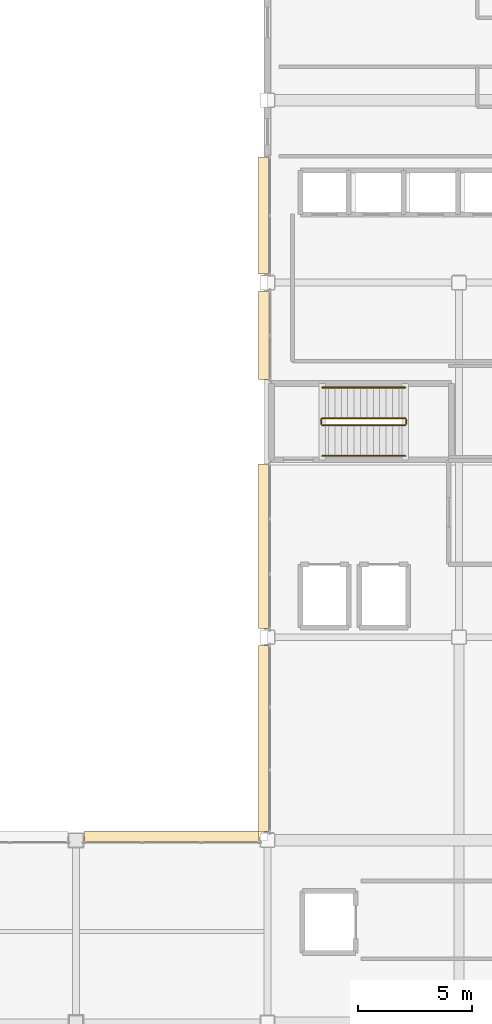
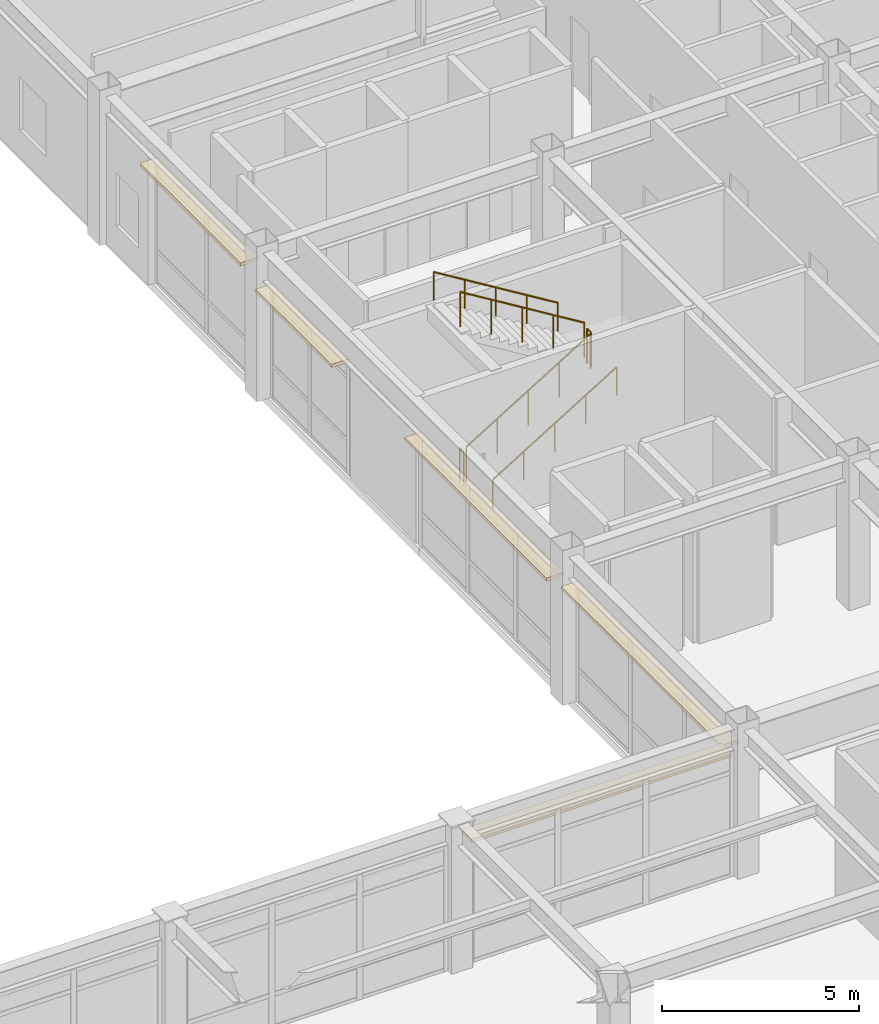
# One storey, part 91 of 93: 6 railings, 5 coverings.
"""IFC4 building model written with IfcOpenShell, lengths in metres."""

from ifc_helpers import new_model, si_unit, direction, frame, origin, origin_2d, place, context, subcontext, project, spatial, rectangle, circle, extrude, material, layer, layer_set, type_object, element, save


model = new_model("IFC4")

# Units and contexts
model_context = context("Model", 3, precision=1e-05, world=origin(), true_north=direction((0.0, 1.0)))
body_context = subcontext(model_context, "Body", "Model", "MODEL_VIEW")
ifc_project = project(units=[si_unit("LENGTHUNIT", "METRE"), si_unit("AREAUNIT", "SQUARE_METRE"), si_unit("VOLUMEUNIT", "CUBIC_METRE"), si_unit("PLANEANGLEUNIT", "RADIAN"), si_unit("MASSUNIT", "GRAM", prefix="KILO")], contexts=[model_context])

# Site, building, storey
site_placement = place(None, origin())
site = spatial("IfcSite", under=ifc_project, at=site_placement, CompositionType="ELEMENT")
building_placement = place(site_placement, origin())
building = spatial("IfcBuilding", under=site, at=building_placement, Name="Kazehara Bluff Congress Hotel", CompositionType="ELEMENT")
storey_placement = place(building_placement, frame((0.0, 0.0, 15.0)))
storey = spatial("IfcBuildingStorey", under=building, at=storey_placement, Name="L03", CompositionType="ELEMENT", Elevation=15.0)

# Coverings
ifc_material_1 = material(Name="Anodised aluminium architectural brise-soleil", Category="aluminium")
ifc_layer = layer(ifc_material_1, 0.10009765625)
ifc_layer_set = layer_set([ifc_layer], Name="Anodised aluminium architectural brise-soleil")
covering_type = type_object("IfcCoveringType", Name="TP-FAC-FIN", PredefinedType="CLADDING", material=ifc_layer_set)
covering_1_placement = place(storey_placement, frame((143.56005859375, 36.449951171875, 3.6650390625), z_axis=(0.0, 0.0, 1.0), x_axis=(1.0, 0.0, 0.0)))
element("IfcCovering", 1, at=covering_1_placement, inside=storey, type_object=covering_type, Name="L03 V5 architectural sun-hood 161", PredefinedType="CLADDING", context=body_context, shape_type="SweptSolid", body=[
    extrude(rectangle(XDim=0.52001953125, YDim=8.14990234375, at=origin_2d()), origin(), (0.0, 0.0, 1.0), 0.10009765625),
])
covering_2_placement = place(storey_placement, frame((143.56005859375, 44.8798828125, 3.46484375), z_axis=(0.0, 0.0, 1.0), x_axis=(1.0, 0.0, 0.0)))
element("IfcCovering", 2, at=covering_2_placement, inside=storey, type_object=covering_type, Name="L03 V5 architectural sun-hood 162", PredefinedType="CLADDING", context=body_context, shape_type="SweptSolid", body=[
    extrude(rectangle(XDim=0.52001953125, YDim=7.215087890625, at=origin_2d()), origin(), (0.0, 0.0, 1.0), 0.10009765625),
])
covering_3_placement = place(storey_placement, frame((143.56005859375, 54.139892578125, 3.46484375), z_axis=(0.0, 0.0, 1.0), x_axis=(1.0, 0.0, 0.0)))
element("IfcCovering", 3, at=covering_3_placement, inside=storey, type_object=covering_type, Name="L03 V5 architectural sun-hood 163", PredefinedType="CLADDING", context=body_context, shape_type="SweptSolid", body=[
    extrude(rectangle(XDim=0.52001953125, YDim=3.864990234375, at=origin_2d()), origin(), (0.0, 0.0, 1.0), 0.10009765625),
])
covering_4_placement = place(storey_placement, frame((143.56005859375, 59.389892578125, 3.81494140625), z_axis=(0.0, 0.0, 1.0), x_axis=(1.0, 0.0, 0.0)))
element("IfcCovering", 4, at=covering_4_placement, inside=storey, type_object=covering_type, Name="L03 V5 architectural sun-hood 164", PredefinedType="CLADDING", context=body_context, shape_type="SweptSolid", body=[
    extrude(rectangle(XDim=0.52001953125, YDim=5.125, at=origin_2d()), origin(), (0.0, 0.0, 1.0), 0.10009765625),
])
covering_5_placement = place(storey_placement, frame((139.5, 32.139892578125, 3.71484375), z_axis=(0.0, 0.0, 1.0), x_axis=(1.0, 0.0, 0.0)))
element("IfcCovering", 5, at=covering_5_placement, inside=storey, type_object=covering_type, Name="L03 V5 architectural sun-hood 168", PredefinedType="CLADDING", context=body_context, shape_type="SweptSolid", body=[
    extrude(rectangle(XDim=7.64990234375, YDim=0.52001953125, at=origin_2d()), origin(), (0.0, 0.0, 1.0), 0.10009765625),
])

# Railings
ifc_material_2 = material(Name="Brushed stainless steel", Category="steel")
railing_type_1 = type_object("IfcRailingType", Name="TP-GRD-INT", PredefinedType="GUARDRAIL", material=ifc_material_2)
railing_1_placement = place(storey_placement, frame((146.10009765625, 50.199951171875, 0.17138671875)))
element("IfcRailing", 6, at=railing_1_placement, inside=storey, type_object=railing_type_1, Name="L03 ST-11 stair guard 1", PredefinedType="GUARDRAIL", context=body_context, shape_type="SweptSolid", body=[
    extrude(circle(Radius=0.02392578125, at=origin_2d()), frame((0.0, 0.0, 1.076171875), z_axis=(0.852850264322, 0.0, 0.5221555579), x_axis=(0.0, 1.0, 0.0)), (0.0, 0.0, 1.0), 4.267822265625),
    extrude(circle(Radius=0.02099609375, at=origin_2d()), origin(), (0.0, 0.0, 1.0), 1.052001953125),
    extrude(circle(Radius=0.02099609375, at=origin_2d()), frame((0.909912109375, 0.0, 0.55712890625)), (0.0, 0.0, 1.0), 1.052001953125),
    extrude(circle(Radius=0.02099609375, at=origin_2d()), frame((1.81982421875, 0.0, 1.1142578125)), (0.0, 0.0, 1.0), 1.052001953125),
    extrude(circle(Radius=0.02099609375, at=origin_2d()), frame((2.72998046875, 0.0, 1.67138671875)), (0.0, 0.0, 1.0), 1.052001953125),
    extrude(circle(Radius=0.02099609375, at=origin_2d()), frame((3.639892578125, 0.0, 2.228515625)), (0.0, 0.0, 1.0), 1.052001953125),
])
railing_2_placement = place(storey_placement, frame((149.7900390625, 50.25, 2.39990234375)))
element("IfcRailing", 7, at=railing_2_placement, inside=storey, type_object=railing_type_1, Name="L03 ST-11 stair guard 2", PredefinedType="GUARDRAIL", context=body_context, shape_type="SweptSolid", body=[
    extrude(circle(Radius=0.02392578125, at=origin_2d()), frame((0.0, 0.0, 1.076171875), z_axis=(0.0, 1.0, 0.0), x_axis=(-1.0, 0.0, 0.0)), (0.0, 0.0, 1.0), 0.199951171875),
    extrude(circle(Radius=0.02099609375, at=origin_2d()), origin(), (0.0, 0.0, 1.0), 1.052001953125),
    extrude(circle(Radius=0.02099609375, at=origin_2d()), frame((0.0, 0.199951171875, 0.0)), (0.0, 0.0, 1.0), 1.052001953125),
])
railing_3_placement = place(storey_placement, frame((149.739990234375, 50.5, 2.571533203125)))
element("IfcRailing", 8, at=railing_3_placement, inside=storey, type_object=railing_type_1, Name="L03 ST-11 stair guard 3", PredefinedType="GUARDRAIL", context=body_context, shape_type="SweptSolid", body=[
    extrude(circle(Radius=0.02392578125, at=origin_2d()), frame((0.0, 0.0, 1.076171875), z_axis=(-0.852850264322, 0.0, 0.5221555579), x_axis=(0.0, -1.0, 0.0)), (0.0, 0.0, 1.0), 4.267822265625),
    extrude(circle(Radius=0.02099609375, at=origin_2d()), origin(), (0.0, 0.0, 1.0), 1.052001953125),
    extrude(circle(Radius=0.02099609375, at=origin_2d()), frame((-0.909912109375, 0.0, 0.55712890625)), (0.0, 0.0, 1.0), 1.052001953125),
    extrude(circle(Radius=0.02099609375, at=origin_2d()), frame((-1.81982421875, 0.0, 1.1142578125)), (0.0, 0.0, 1.0), 1.052001953125),
    extrude(circle(Radius=0.02099609375, at=origin_2d()), frame((-2.72998046875, 0.0, 1.67138671875)), (0.0, 0.0, 1.0), 1.052001953125),
    extrude(circle(Radius=0.02099609375, at=origin_2d()), frame((-3.639892578125, 0.0, 2.228515625)), (0.0, 0.0, 1.0), 1.052001953125),
])
railing_4_placement = place(storey_placement, frame((146.050048828125, 50.25, 0.0)))
element("IfcRailing", 9, at=railing_4_placement, inside=storey, type_object=railing_type_1, Name="L03 ST-11 stair guard 4", PredefinedType="GUARDRAIL", context=body_context, shape_type="SweptSolid", body=[
    extrude(circle(Radius=0.02392578125, at=origin_2d()), frame((0.0, 0.0, 1.076171875), z_axis=(0.0, 1.0, 0.0), x_axis=(-1.0, 0.0, 0.0)), (0.0, 0.0, 1.0), 0.199951171875),
    extrude(circle(Radius=0.02099609375, at=origin_2d()), origin(), (0.0, 0.0, 1.0), 1.052001953125),
    extrude(circle(Radius=0.02099609375, at=origin_2d()), frame((0.0, 0.199951171875, 0.0)), (0.0, 0.0, 1.0), 1.052001953125),
])
ifc_material_3 = material(Name="Brushed stainless steel", Category="steel")
railing_type_2 = type_object("IfcRailingType", Name="TP-HR-INT", PredefinedType="HANDRAIL", material=ifc_material_3)
railing_5_placement = place(storey_placement, frame((146.10009765625, 48.85009765625, 0.17138671875)))
element("IfcRailing", 10, at=railing_5_placement, inside=storey, type_object=railing_type_2, Name="L03 ST-11 stair handrail 1", PredefinedType="HANDRAIL", context=body_context, shape_type="SweptSolid", body=[
    extrude(circle(Radius=0.02392578125, at=origin_2d()), frame((0.0, 0.0, 0.8759765625), z_axis=(0.852850264322, 0.0, 0.5221555579), x_axis=(0.0, 1.0, 0.0)), (0.0, 0.0, 1.0), 4.267822265625),
    extrude(circle(Radius=0.02099609375, at=origin_2d()), origin(), (0.0, 0.0, 1.0), 0.851806640625),
    extrude(circle(Radius=0.02099609375, at=origin_2d()), frame((0.909912109375, 0.0, 0.55712890625)), (0.0, 0.0, 1.0), 0.851806640625),
    extrude(circle(Radius=0.02099609375, at=origin_2d()), frame((1.81982421875, 0.0, 1.1142578125)), (0.0, 0.0, 1.0), 0.851806640625),
    extrude(circle(Radius=0.02099609375, at=origin_2d()), frame((2.72998046875, 0.0, 1.67138671875)), (0.0, 0.0, 1.0), 0.851806640625),
    extrude(circle(Radius=0.02099609375, at=origin_2d()), frame((3.639892578125, 0.0, 2.228515625)), (0.0, 0.0, 1.0), 0.851806640625),
])
railing_6_placement = place(storey_placement, frame((149.739990234375, 51.85009765625, 2.571533203125)))
element("IfcRailing", 11, at=railing_6_placement, inside=storey, type_object=railing_type_2, Name="L03 ST-11 stair handrail 2", PredefinedType="HANDRAIL", context=body_context, shape_type="SweptSolid", body=[
    extrude(circle(Radius=0.02392578125, at=origin_2d()), frame((0.0, 0.0, 0.8759765625), z_axis=(-0.852850264322, 0.0, 0.5221555579), x_axis=(0.0, -1.0, 0.0)), (0.0, 0.0, 1.0), 4.267822265625),
    extrude(circle(Radius=0.02099609375, at=origin_2d()), origin(), (0.0, 0.0, 1.0), 0.851806640625),
    extrude(circle(Radius=0.02099609375, at=origin_2d()), frame((-0.909912109375, 0.0, 0.55712890625)), (0.0, 0.0, 1.0), 0.851806640625),
    extrude(circle(Radius=0.02099609375, at=origin_2d()), frame((-1.81982421875, 0.0, 1.1142578125)), (0.0, 0.0, 1.0), 0.851806640625),
    extrude(circle(Radius=0.02099609375, at=origin_2d()), frame((-2.72998046875, 0.0, 1.67138671875)), (0.0, 0.0, 1.0), 0.851806640625),
    extrude(circle(Radius=0.02099609375, at=origin_2d()), frame((-3.639892578125, 0.0, 2.228515625)), (0.0, 0.0, 1.0), 0.851806640625),
])

save(model, "model.ifc")
